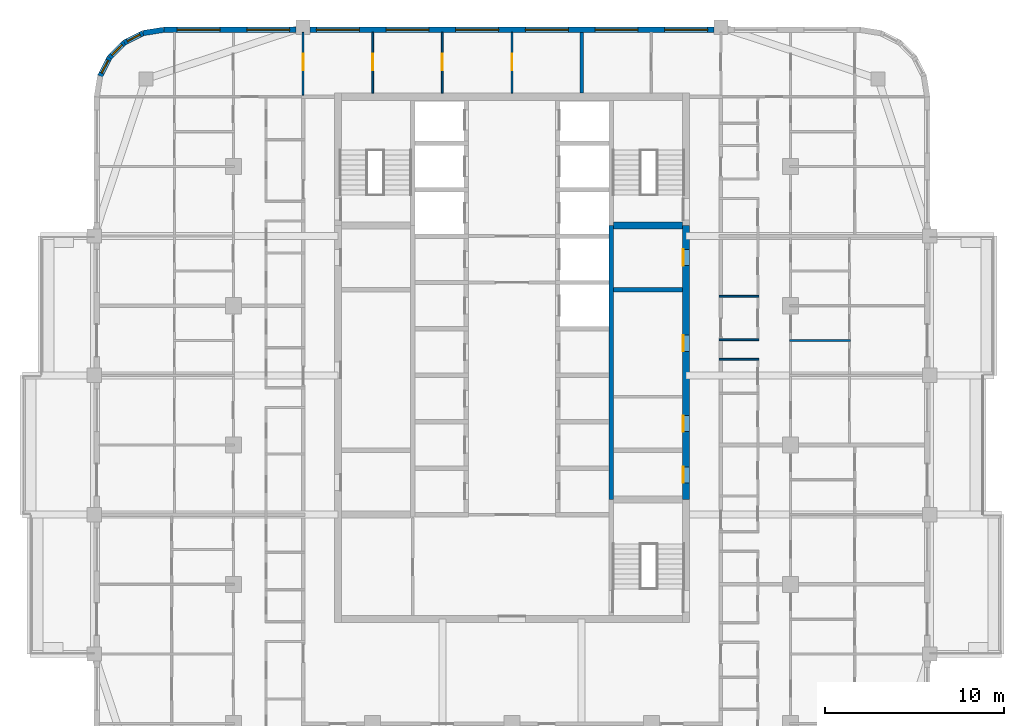
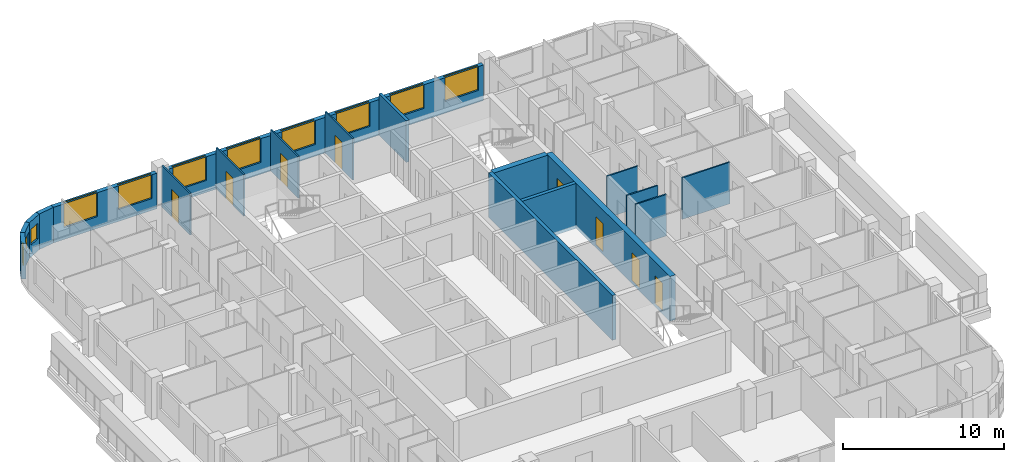
# One storey, part 10 of 16: 19 walls, 11 windows, 8 doors, 19 openings.
"""IFC4 building model written with IfcOpenShell, lengths in metres."""

from ifc_helpers import new_model, si_unit, direction, frame, frame_2d, origin, place, context, subcontext, project, spatial, rectangle, extrude, material, layer, layer_set, type_object, element, fill, save


model = new_model("IFC4")

# Units and contexts
model_context = context("Model", 3, precision=1e-05, world=origin(), true_north=direction((0.0, 1.0)))
body_context = subcontext(model_context, "Body", "Model", "MODEL_VIEW")
ifc_project = project(units=[si_unit("LENGTHUNIT", "METRE"), si_unit("AREAUNIT", "SQUARE_METRE"), si_unit("VOLUMEUNIT", "CUBIC_METRE"), si_unit("PLANEANGLEUNIT", "RADIAN"), si_unit("MASSUNIT", "GRAM", prefix="KILO")], contexts=[model_context])

# Site, building, storey
site_placement = place(None, origin())
site = spatial("IfcSite", under=ifc_project, at=site_placement, CompositionType="ELEMENT")
building_placement = place(site_placement, origin())
building = spatial("IfcBuilding", under=site, at=building_placement, Name="Ludao Terraces", CompositionType="ELEMENT")
storey_placement = place(building_placement, frame((0.0, 0.0, 217.699951171875)))
storey = spatial("IfcBuildingStorey", under=building, at=storey_placement, Name="L59", CompositionType="ELEMENT", Elevation=217.699951171875)

# Wall, openings, doors
ifc_material_1 = material(Name="Concrete C50", Category="concrete")
ifc_layer_1 = layer(ifc_material_1, 0.39990234375)
ifc_layer_set_1 = layer_set([ifc_layer_1], Name="Core wall 400 C50")
wall_type_1 = type_object("IfcWallType", Name="Core wall 400 C50", PredefinedType="SOLIDWALL", material=ifc_layer_set_1)
wall_1_placement = place(storey_placement, frame((94.75, 61.949951171875, -0.25), z_axis=(0.0, 0.0, 1.0), x_axis=(0.0, 1.0, 0.0)))
wall_1 = element("IfcWall", 1, at=wall_1_placement, inside=storey, type_object=wall_type_1, Name="Core wall L59 outer-E", PredefinedType="SOLIDWALL", context=body_context, shape_type="SweptSolid", body=[
    extrude(rectangle(XDim=15.35009765625, YDim=0.39990234375, at=frame_2d((7.675048828125, 0.0))), origin(), (0.0, 0.0, 1.0), 3.400146484375),
])
opening_1_placement = place(wall_1_placement, frame((0.925048828125, 0.0, 0.25)))
opening_1 = element("IfcOpeningElement", 2, at=opening_1_placement, cuts=wall_1, Name="Opening R21-059", PredefinedType="OPENING", context=body_context, shape_type="SweptSolid", body=[
    extrude(rectangle(XDim=0.89990234375, YDim=2.10009765625, at=frame_2d((0.449951171875, 1.050048828125))), frame((0.0, 0.2099609375, 0.0), z_axis=(0.0, -1.0, 0.0), x_axis=(1.0, 0.0, 0.0)), (0.0, 0.0, 1.0), 0.419921875),
])
opening_2_placement = place(wall_1_placement, frame((3.800048828125, 0.0, 0.25)))
opening_2 = element("IfcOpeningElement", 3, at=opening_2_placement, cuts=wall_1, Name="Opening R21-066", PredefinedType="OPENING", context=body_context, shape_type="SweptSolid", body=[
    extrude(rectangle(XDim=0.89990234375, YDim=2.10009765625, at=frame_2d((0.449951171875, 1.050048828125))), frame((0.0, 0.2099609375, 0.0), z_axis=(0.0, -1.0, 0.0), x_axis=(1.0, 0.0, 0.0)), (0.0, 0.0, 1.0), 0.419921875),
])
opening_3_placement = place(wall_1_placement, frame((8.300048828125, 0.0, 0.25)))
opening_3 = element("IfcOpeningElement", 4, at=opening_3_placement, cuts=wall_1, Name="Opening R21-082", PredefinedType="OPENING", context=body_context, shape_type="SweptSolid", body=[
    extrude(rectangle(XDim=0.89990234375, YDim=2.10009765625, at=frame_2d((0.449951171875, 1.050048828125))), frame((0.0, 0.2099609375, 0.0), z_axis=(0.0, -1.0, 0.0), x_axis=(1.0, 0.0, 0.0)), (0.0, 0.0, 1.0), 0.419921875),
])
opening_4_placement = place(wall_1_placement, frame((13.10009765625, 0.0, 0.25)))
opening_4 = element("IfcOpeningElement", 5, at=opening_4_placement, cuts=wall_1, Name="Opening R21-100", PredefinedType="OPENING", context=body_context, shape_type="SweptSolid", body=[
    extrude(rectangle(XDim=0.89990234375, YDim=2.10009765625, at=frame_2d((0.449951171875, 1.050048828125))), frame((0.0, 0.2099609375, 0.0), z_axis=(0.0, -1.0, 0.0), x_axis=(1.0, 0.0, 0.0)), (0.0, 0.0, 1.0), 0.419921875),
])
ifc_material_2 = material(Name="Steel Q235", Category="steel")
door_type_1 = type_object("IfcDoorType", Name="INT Riser door 900", OperationType="SINGLE_SWING_LEFT", PredefinedType="DOOR", material=ifc_material_2)
door_1_placement = place(opening_1_placement, origin())
door_1 = element("IfcDoor", 6, at=door_1_placement, inside=storey, type_object=door_type_1, Name="DOOR 059", OperationType="SINGLE_SWING_LEFT", OverallHeight=2.10009765625, OverallWidth=0.89990234375, PredefinedType="DOOR", context=body_context, shape_type="SweptSolid", body=[
    extrude(rectangle(XDim=0.89990234375, YDim=2.10009765625, at=frame_2d((0.449951171875, 1.050048828125))), frame((0.0, 0.18505859375, 0.0), z_axis=(0.0, -1.0, 0.0), x_axis=(1.0, 0.0, 0.0)), (0.0, 0.0, 1.0), 0.050048828125),
])
fill(opening_1, door_1)
door_2_placement = place(opening_4_placement, origin())
door_2 = element("IfcDoor", 7, at=door_2_placement, inside=storey, type_object=door_type_1, Name="DOOR 100", OperationType="SINGLE_SWING_RIGHT", OverallHeight=2.10009765625, OverallWidth=0.89990234375, PredefinedType="DOOR", context=body_context, shape_type="SweptSolid", body=[
    extrude(rectangle(XDim=0.89990234375, YDim=2.10009765625, at=frame_2d((0.449951171875, 1.050048828125))), frame((0.0, 0.18505859375, 0.0), z_axis=(0.0, -1.0, 0.0), x_axis=(1.0, 0.0, 0.0)), (0.0, 0.0, 1.0), 0.050048828125),
])
fill(opening_4, door_2)
ifc_material_3 = material(Name="Timber door leaf", Category="wood")
door_type_2 = type_object("IfcDoorType", Name="INT Room door 900", OperationType="SINGLE_SWING_LEFT", PredefinedType="DOOR", material=ifc_material_3)
door_3_placement = place(opening_2_placement, origin())
door_3 = element("IfcDoor", 8, at=door_3_placement, inside=storey, type_object=door_type_2, Name="DOOR 066", OperationType="SINGLE_SWING_LEFT", OverallHeight=2.10009765625, OverallWidth=0.89990234375, PredefinedType="DOOR", context=body_context, shape_type="SweptSolid", body=[
    extrude(rectangle(XDim=0.89990234375, YDim=2.10009765625, at=frame_2d((0.449951171875, 1.050048828125))), frame((0.0, 0.18505859375, 0.0), z_axis=(0.0, -1.0, 0.0), x_axis=(1.0, 0.0, 0.0)), (0.0, 0.0, 1.0), 0.050048828125),
])
fill(opening_2, door_3)
door_4_placement = place(opening_3_placement, origin())
door_4 = element("IfcDoor", 9, at=door_4_placement, inside=storey, type_object=door_type_2, Name="DOOR 082", OperationType="SINGLE_SWING_RIGHT", OverallHeight=2.10009765625, OverallWidth=0.89990234375, PredefinedType="DOOR", context=body_context, shape_type="SweptSolid", body=[
    extrude(rectangle(XDim=0.89990234375, YDim=2.10009765625, at=frame_2d((0.449951171875, 1.050048828125))), frame((0.0, 0.18505859375, 0.0), z_axis=(0.0, -1.0, 0.0), x_axis=(1.0, 0.0, 0.0)), (0.0, 0.0, 1.0), 0.050048828125),
])
fill(opening_3, door_4)

# Wall, openings, windows
ifc_material_4 = material(Name="Granite cladding", Category="masonry")
ifc_layer_2 = layer(ifc_material_4, 0.0400390625, Category="stone")
ifc_material_5 = material(Name="Mineral wool")
ifc_layer_3 = layer(ifc_material_5, 0.06005859375)
ifc_material_6 = material(Name="Concrete C40", Category="concrete")
ifc_layer_4 = layer(ifc_material_6, 0.199951171875, Category="concrete")
ifc_layer_set_2 = layer_set([ifc_layer_2, ifc_layer_3, ifc_layer_4], Name="ENV Stone-clad wall 300")
wall_type_2 = type_object("IfcWallType", Name="ENV Stone-clad wall 300", PredefinedType="SOLIDWALL", material=ifc_layer_set_2)
wall_2_placement = place(storey_placement, frame((65.5, 88.25, 0.0), z_axis=(0.0, 0.0, 1.0), x_axis=(1.0, 0.0, 0.0)))
wall_2 = element("IfcWall", 10, at=wall_2_placement, inside=storey, type_object=wall_type_2, Name="EW-L59-N1", PredefinedType="SOLIDWALL", context=body_context, shape_type="SweptSolid", body=[
    extrude(rectangle(XDim=7.39990234375, YDim=0.300048828125, at=frame_2d((3.699951171875, 0.0))), origin(), (0.0, 0.0, 1.0), 2.699951171875),
])
opening_5_placement = place(wall_2_placement, frame((0.75, 0.0, 0.89990234375)))
opening_5 = element("IfcOpeningElement", 11, at=opening_5_placement, cuts=wall_2, Name="Opening W1", PredefinedType="OPENING", context=body_context, shape_type="SweptSolid", body=[
    extrude(rectangle(XDim=2.39990234375, YDim=1.800048828125, at=frame_2d((1.199951171875, 0.89990234375))), frame((0.0, 0.16015625, 0.0), z_axis=(0.0, -1.0, 0.0), x_axis=(1.0, 0.0, 0.0)), (0.0, 0.0, 1.0), 0.320068359375),
])
opening_6_placement = place(wall_2_placement, frame((4.64990234375, 0.0, 0.89990234375)))
opening_6 = element("IfcOpeningElement", 12, at=opening_6_placement, cuts=wall_2, Name="Opening W1", PredefinedType="OPENING", context=body_context, shape_type="SweptSolid", body=[
    extrude(rectangle(XDim=2.39990234375, YDim=1.800048828125, at=frame_2d((1.199951171875, 0.89990234375))), frame((0.0, 0.16015625, 0.0), z_axis=(0.0, -1.0, 0.0), x_axis=(1.0, 0.0, 0.0)), (0.0, 0.0, 1.0), 0.320068359375),
])
ifc_material_7 = material(Name="Clear glass in aluminium frame", Category="aluminium")
ifc_layer_5 = layer(ifc_material_7, 0.06005859375)
ifc_layer_set_3 = layer_set([ifc_layer_5], Name="ENV Window W1 2400x1800")
window_type_1 = type_object("IfcWindowType", Name="ENV Window W1 2400x1800", PartitioningType="DOUBLE_PANEL_VERTICAL", PredefinedType="WINDOW", material=ifc_layer_set_3)
window_1_placement = place(opening_5_placement, origin())
window_1 = element("IfcWindow", 13, at=window_1_placement, inside=storey, type_object=window_type_1, Name="W-L59-N1-1", OverallHeight=1.800048828125, OverallWidth=2.39990234375, PartitioningType="DOUBLE_PANEL_VERTICAL", PredefinedType="WINDOW", context=body_context, shape_type="SweptSolid", body=[
    extrude(rectangle(XDim=2.39990234375, YDim=1.800048828125, at=frame_2d((1.199951171875, 0.89990234375))), frame((0.0, 0.030029296875, 0.0), z_axis=(0.0, -1.0, 0.0), x_axis=(1.0, 0.0, 0.0)), (0.0, 0.0, 1.0), 0.06005859375),
])
fill(opening_5, window_1)
window_2_placement = place(opening_6_placement, origin())
window_2 = element("IfcWindow", 14, at=window_2_placement, inside=storey, type_object=window_type_1, Name="W-L59-N1-2", OverallHeight=1.800048828125, OverallWidth=2.39990234375, PartitioningType="DOUBLE_PANEL_VERTICAL", PredefinedType="WINDOW", context=body_context, shape_type="SweptSolid", body=[
    extrude(rectangle(XDim=2.39990234375, YDim=1.800048828125, at=frame_2d((1.199951171875, 0.89990234375))), frame((0.0, 0.030029296875, 0.0), z_axis=(0.0, -1.0, 0.0), x_axis=(1.0, 0.0, 0.0)), (0.0, 0.0, 1.0), 0.06005859375),
])
fill(opening_6, window_2)

wall_3_placement = place(storey_placement, frame((73.699951171875, 88.25, 0.0), z_axis=(0.0, 0.0, 1.0), x_axis=(1.0, 0.0, 0.0)))
wall_3 = element("IfcWall", 15, at=wall_3_placement, inside=storey, type_object=wall_type_2, Name="EW-L59-N2", PredefinedType="SOLIDWALL", context=body_context, shape_type="SweptSolid", body=[
    extrude(rectangle(XDim=22.60009765625, YDim=0.300048828125, at=frame_2d((11.300048828125, 0.0))), origin(), (0.0, 0.0, 1.0), 2.699951171875),
])
opening_7_placement = place(wall_3_placement, frame((0.35009765625, 0.0, 0.89990234375)))
opening_7 = element("IfcOpeningElement", 16, at=opening_7_placement, cuts=wall_3, Name="Opening W1", PredefinedType="OPENING", context=body_context, shape_type="SweptSolid", body=[
    extrude(rectangle(XDim=2.39990234375, YDim=1.800048828125, at=frame_2d((1.199951171875, 0.89990234375))), frame((0.0, 0.16015625, 0.0), z_axis=(0.0, -1.0, 0.0), x_axis=(1.0, 0.0, 0.0)), (0.0, 0.0, 1.0), 0.320068359375),
])
opening_8_placement = place(wall_3_placement, frame((4.25, 0.0, 0.89990234375)))
opening_8 = element("IfcOpeningElement", 17, at=opening_8_placement, cuts=wall_3, Name="Opening W1", PredefinedType="OPENING", context=body_context, shape_type="SweptSolid", body=[
    extrude(rectangle(XDim=2.39990234375, YDim=1.800048828125, at=frame_2d((1.199951171875, 0.89990234375))), frame((0.0, 0.16015625, 0.0), z_axis=(0.0, -1.0, 0.0), x_axis=(1.0, 0.0, 0.0)), (0.0, 0.0, 1.0), 0.320068359375),
])
opening_9_placement = place(wall_3_placement, frame((8.14990234375, 0.0, 0.89990234375)))
opening_9 = element("IfcOpeningElement", 18, at=opening_9_placement, cuts=wall_3, Name="Opening W1", PredefinedType="OPENING", context=body_context, shape_type="SweptSolid", body=[
    extrude(rectangle(XDim=2.39990234375, YDim=1.800048828125, at=frame_2d((1.199951171875, 0.89990234375))), frame((0.0, 0.16015625, 0.0), z_axis=(0.0, -1.0, 0.0), x_axis=(1.0, 0.0, 0.0)), (0.0, 0.0, 1.0), 0.320068359375),
])
opening_10_placement = place(wall_3_placement, frame((12.050048828125, 0.0, 0.89990234375)))
opening_10 = element("IfcOpeningElement", 19, at=opening_10_placement, cuts=wall_3, Name="Opening W1", PredefinedType="OPENING", context=body_context, shape_type="SweptSolid", body=[
    extrude(rectangle(XDim=2.39990234375, YDim=1.800048828125, at=frame_2d((1.199951171875, 0.89990234375))), frame((0.0, 0.16015625, 0.0), z_axis=(0.0, -1.0, 0.0), x_axis=(1.0, 0.0, 0.0)), (0.0, 0.0, 1.0), 0.320068359375),
])
opening_11_placement = place(wall_3_placement, frame((15.949951171875, 0.0, 0.89990234375)))
opening_11 = element("IfcOpeningElement", 20, at=opening_11_placement, cuts=wall_3, Name="Opening W1", PredefinedType="OPENING", context=body_context, shape_type="SweptSolid", body=[
    extrude(rectangle(XDim=2.39990234375, YDim=1.800048828125, at=frame_2d((1.199951171875, 0.89990234375))), frame((0.0, 0.16015625, 0.0), z_axis=(0.0, -1.0, 0.0), x_axis=(1.0, 0.0, 0.0)), (0.0, 0.0, 1.0), 0.320068359375),
])
opening_12_placement = place(wall_3_placement, frame((19.85009765625, 0.0, 0.89990234375)))
opening_12 = element("IfcOpeningElement", 21, at=opening_12_placement, cuts=wall_3, Name="Opening W1", PredefinedType="OPENING", context=body_context, shape_type="SweptSolid", body=[
    extrude(rectangle(XDim=2.39990234375, YDim=1.800048828125, at=frame_2d((1.199951171875, 0.89990234375))), frame((0.0, 0.16015625, 0.0), z_axis=(0.0, -1.0, 0.0), x_axis=(1.0, 0.0, 0.0)), (0.0, 0.0, 1.0), 0.320068359375),
])
window_3_placement = place(opening_7_placement, origin())
window_3 = element("IfcWindow", 22, at=window_3_placement, inside=storey, type_object=window_type_1, Name="W-L59-N2-1", OverallHeight=1.800048828125, OverallWidth=2.39990234375, PartitioningType="DOUBLE_PANEL_VERTICAL", PredefinedType="WINDOW", context=body_context, shape_type="SweptSolid", body=[
    extrude(rectangle(XDim=2.39990234375, YDim=1.800048828125, at=frame_2d((1.199951171875, 0.89990234375))), frame((0.0, 0.030029296875, 0.0), z_axis=(0.0, -1.0, 0.0), x_axis=(1.0, 0.0, 0.0)), (0.0, 0.0, 1.0), 0.06005859375),
])
fill(opening_7, window_3)
window_4_placement = place(opening_8_placement, origin())
window_4 = element("IfcWindow", 23, at=window_4_placement, inside=storey, type_object=window_type_1, Name="W-L59-N2-2", OverallHeight=1.800048828125, OverallWidth=2.39990234375, PartitioningType="DOUBLE_PANEL_VERTICAL", PredefinedType="WINDOW", context=body_context, shape_type="SweptSolid", body=[
    extrude(rectangle(XDim=2.39990234375, YDim=1.800048828125, at=frame_2d((1.199951171875, 0.89990234375))), frame((0.0, 0.030029296875, 0.0), z_axis=(0.0, -1.0, 0.0), x_axis=(1.0, 0.0, 0.0)), (0.0, 0.0, 1.0), 0.06005859375),
])
fill(opening_8, window_4)
window_5_placement = place(opening_9_placement, origin())
window_5 = element("IfcWindow", 24, at=window_5_placement, inside=storey, type_object=window_type_1, Name="W-L59-N2-3", OverallHeight=1.800048828125, OverallWidth=2.39990234375, PartitioningType="DOUBLE_PANEL_VERTICAL", PredefinedType="WINDOW", context=body_context, shape_type="SweptSolid", body=[
    extrude(rectangle(XDim=2.39990234375, YDim=1.800048828125, at=frame_2d((1.199951171875, 0.89990234375))), frame((0.0, 0.030029296875, 0.0), z_axis=(0.0, -1.0, 0.0), x_axis=(1.0, 0.0, 0.0)), (0.0, 0.0, 1.0), 0.06005859375),
])
fill(opening_9, window_5)
window_6_placement = place(opening_10_placement, origin())
window_6 = element("IfcWindow", 25, at=window_6_placement, inside=storey, type_object=window_type_1, Name="W-L59-N2-4", OverallHeight=1.800048828125, OverallWidth=2.39990234375, PartitioningType="DOUBLE_PANEL_VERTICAL", PredefinedType="WINDOW", context=body_context, shape_type="SweptSolid", body=[
    extrude(rectangle(XDim=2.39990234375, YDim=1.800048828125, at=frame_2d((1.199951171875, 0.89990234375))), frame((0.0, 0.030029296875, 0.0), z_axis=(0.0, -1.0, 0.0), x_axis=(1.0, 0.0, 0.0)), (0.0, 0.0, 1.0), 0.06005859375),
])
fill(opening_10, window_6)
window_7_placement = place(opening_11_placement, origin())
window_7 = element("IfcWindow", 26, at=window_7_placement, inside=storey, type_object=window_type_1, Name="W-L59-N2-5", OverallHeight=1.800048828125, OverallWidth=2.39990234375, PartitioningType="DOUBLE_PANEL_VERTICAL", PredefinedType="WINDOW", context=body_context, shape_type="SweptSolid", body=[
    extrude(rectangle(XDim=2.39990234375, YDim=1.800048828125, at=frame_2d((1.199951171875, 0.89990234375))), frame((0.0, 0.030029296875, 0.0), z_axis=(0.0, -1.0, 0.0), x_axis=(1.0, 0.0, 0.0)), (0.0, 0.0, 1.0), 0.06005859375),
])
fill(opening_11, window_7)
window_8_placement = place(opening_12_placement, origin())
window_8 = element("IfcWindow", 27, at=window_8_placement, inside=storey, type_object=window_type_1, Name="W-L59-N2-6", OverallHeight=1.800048828125, OverallWidth=2.39990234375, PartitioningType="DOUBLE_PANEL_VERTICAL", PredefinedType="WINDOW", context=body_context, shape_type="SweptSolid", body=[
    extrude(rectangle(XDim=2.39990234375, YDim=1.800048828125, at=frame_2d((1.199951171875, 0.89990234375))), frame((0.0, 0.030029296875, 0.0), z_axis=(0.0, -1.0, 0.0), x_axis=(1.0, 0.0, 0.0)), (0.0, 0.0, 1.0), 0.06005859375),
])
fill(opening_12, window_8)

# Wall
wall_4_placement = place(storey_placement, frame((65.5, 88.25, 0.0), z_axis=(0.0, 0.0, 1.0), x_axis=(-0.987678452879, -0.156496880861, 0.0)))
element("IfcWall", 28, at=wall_4_placement, inside=storey, type_object=wall_type_2, Name="EW-L59-NW1", PredefinedType="SOLIDWALL", context=body_context, shape_type="SweptSolid", body=[
    extrude(rectangle(XDim=1.173095703125, YDim=0.300048828125, at=frame_2d((0.58642578125, 0.0))), origin(), (0.0, 0.0, 1.0), 2.699951171875),
])

# Wall, opening, window
wall_5_placement = place(storey_placement, frame((64.34130859375, 88.06640625, 0.0), z_axis=(0.0, 0.0, 1.0), x_axis=(-0.890988677504, -0.454025524128, 0.0)))
wall_5 = element("IfcWall", 29, at=wall_5_placement, inside=storey, type_object=wall_type_2, Name="EW-L59-NW2", PredefinedType="SOLIDWALL", context=body_context, shape_type="SweptSolid", body=[
    extrude(rectangle(XDim=1.17333984375, YDim=0.300048828125, at=frame_2d((0.586669921875, 0.0))), origin(), (0.0, 0.0, 1.0), 2.699951171875),
])
opening_13_placement = place(wall_5_placement, frame((0.1865234375, 0.0, 0.89990234375)))
opening_13 = element("IfcOpeningElement", 30, at=opening_13_placement, cuts=wall_5, Name="Opening W3", PredefinedType="OPENING", context=body_context, shape_type="SweptSolid", body=[
    extrude(rectangle(XDim=0.800048828125, YDim=1.199951171875, at=frame_2d((0.39990234375, 0.60009765625))), frame((0.0, 0.16015625, 0.0), z_axis=(0.0, -1.0, 0.0), x_axis=(1.0, 0.0, 0.0)), (0.0, 0.0, 1.0), 0.320068359375),
])
ifc_layer_6 = layer(ifc_material_7, 0.06005859375)
ifc_layer_set_4 = layer_set([ifc_layer_6], Name="ENV Window W3 800x1200")
window_type_2 = type_object("IfcWindowType", Name="ENV Window W3 800x1200", PartitioningType="SINGLE_PANEL", PredefinedType="WINDOW", material=ifc_layer_set_4)
window_9_placement = place(opening_13_placement, origin())
window_9 = element("IfcWindow", 31, at=window_9_placement, inside=storey, type_object=window_type_2, Name="W-L59-NW2", OverallHeight=1.199951171875, OverallWidth=0.800048828125, PartitioningType="SINGLE_PANEL", PredefinedType="WINDOW", context=body_context, shape_type="SweptSolid", body=[
    extrude(rectangle(XDim=0.800048828125, YDim=1.199951171875, at=frame_2d((0.39990234375, 0.60009765625))), frame((0.0, 0.030029296875, 0.0), z_axis=(0.0, -1.0, 0.0), x_axis=(1.0, 0.0, 0.0)), (0.0, 0.0, 1.0), 0.06005859375),
])
fill(opening_13, window_9)

wall_6_placement = place(storey_placement, frame((63.2958984375, 87.53369140625, 0.0), z_axis=(0.0, 0.0, 1.0), x_axis=(-0.707106781187, -0.707106781187, 0.0)))
wall_6 = element("IfcWall", 32, at=wall_6_placement, inside=storey, type_object=wall_type_2, Name="EW-L59-NW3", PredefinedType="SOLIDWALL", context=body_context, shape_type="SweptSolid", body=[
    extrude(rectangle(XDim=1.173095703125, YDim=0.300048828125, at=frame_2d((0.58642578125, 0.0))), origin(), (0.0, 0.0, 1.0), 2.699951171875),
])
opening_14_placement = place(wall_6_placement, frame((0.1865234375, 0.0, 0.89990234375)))
opening_14 = element("IfcOpeningElement", 33, at=opening_14_placement, cuts=wall_6, Name="Opening W3", PredefinedType="OPENING", context=body_context, shape_type="SweptSolid", body=[
    extrude(rectangle(XDim=0.800048828125, YDim=1.199951171875, at=frame_2d((0.39990234375, 0.60009765625))), frame((0.0, 0.16015625, 0.0), z_axis=(0.0, -1.0, 0.0), x_axis=(1.0, 0.0, 0.0)), (0.0, 0.0, 1.0), 0.320068359375),
])
window_10_placement = place(opening_14_placement, origin())
window_10 = element("IfcWindow", 34, at=window_10_placement, inside=storey, type_object=window_type_2, Name="W-L59-NW3", OverallHeight=1.199951171875, OverallWidth=0.800048828125, PartitioningType="SINGLE_PANEL", PredefinedType="WINDOW", context=body_context, shape_type="SweptSolid", body=[
    extrude(rectangle(XDim=0.800048828125, YDim=1.199951171875, at=frame_2d((0.39990234375, 0.60009765625))), frame((0.0, 0.030029296875, 0.0), z_axis=(0.0, -1.0, 0.0), x_axis=(1.0, 0.0, 0.0)), (0.0, 0.0, 1.0), 0.06005859375),
])
fill(opening_14, window_10)

wall_7_placement = place(storey_placement, frame((62.46630859375, 86.7041015625, 0.0), z_axis=(0.0, 0.0, 1.0), x_axis=(-0.454025524128, -0.890988677504, 0.0)))
wall_7 = element("IfcWall", 35, at=wall_7_placement, inside=storey, type_object=wall_type_2, Name="EW-L59-NW4", PredefinedType="SOLIDWALL", context=body_context, shape_type="SweptSolid", body=[
    extrude(rectangle(XDim=1.17333984375, YDim=0.300048828125, at=frame_2d((0.586669921875, 0.0))), origin(), (0.0, 0.0, 1.0), 2.699951171875),
])
opening_15_placement = place(wall_7_placement, frame((0.1865234375, 0.0, 0.89990234375)))
opening_15 = element("IfcOpeningElement", 36, at=opening_15_placement, cuts=wall_7, Name="Opening W3", PredefinedType="OPENING", context=body_context, shape_type="SweptSolid", body=[
    extrude(rectangle(XDim=0.800048828125, YDim=1.199951171875, at=frame_2d((0.39990234375, 0.60009765625))), frame((0.0, 0.16015625, 0.0), z_axis=(0.0, -1.0, 0.0), x_axis=(1.0, 0.0, 0.0)), (0.0, 0.0, 1.0), 0.320068359375),
])
window_11_placement = place(opening_15_placement, origin())
window_11 = element("IfcWindow", 37, at=window_11_placement, inside=storey, type_object=window_type_2, Name="W-L59-NW4", OverallHeight=1.199951171875, OverallWidth=0.800048828125, PartitioningType="SINGLE_PANEL", PredefinedType="WINDOW", context=body_context, shape_type="SweptSolid", body=[
    extrude(rectangle(XDim=0.800048828125, YDim=1.199951171875, at=frame_2d((0.39990234375, 0.60009765625))), frame((0.0, 0.030029296875, 0.0), z_axis=(0.0, -1.0, 0.0), x_axis=(1.0, 0.0, 0.0)), (0.0, 0.0, 1.0), 0.06005859375),
])
fill(opening_15, window_11)

# Walls
ifc_material_8 = material(Name="Gypsum plasterboard", Category="gypsum")
ifc_layer_7 = layer(ifc_material_8, 0.012451171875, Category="gypsum")
ifc_layer_8 = layer(ifc_material_5, 0.06005859375, Name="insulation")
ifc_layer_9 = layer(ifc_material_2, 0.014892578125, Name="stud")
ifc_layer_10 = layer(ifc_material_8, 0.012451171875, Category="gypsum")
ifc_layer_set_5 = layer_set([ifc_layer_7, ifc_layer_8, ifc_layer_9, ifc_layer_10], Name="INT Partition 100")
wall_type_3 = type_object("IfcWallType", Name="INT Partition 100", PredefinedType="PARTITIONING", material=ifc_layer_set_5)
wall_8_placement = place(storey_placement, frame((96.60009765625, 69.800048828125, 0.0), z_axis=(0.0, 0.0, 1.0), x_axis=(1.0, 0.0, 0.0)))
element("IfcWall", 38, at=wall_8_placement, inside=storey, type_object=wall_type_3, Name="PW-L59-PW040", PredefinedType="PARTITIONING", context=body_context, shape_type="SweptSolid", body=[
    extrude(rectangle(XDim=2.219970703125, YDim=0.10009765625, at=frame_2d((1.10986328125, 0.0))), origin(), (0.0, 0.0, 1.0), 3.150146484375),
])
wall_9_placement = place(storey_placement, frame((100.550048828125, 70.85009765625, 0.0), z_axis=(0.0, 0.0, 1.0), x_axis=(1.0, 0.0, 0.0)))
element("IfcWall", 39, at=wall_9_placement, inside=storey, type_object=wall_type_3, Name="PW-L59-PW043", PredefinedType="PARTITIONING", context=body_context, shape_type="SweptSolid", body=[
    extrude(rectangle(XDim=3.400146484375, YDim=0.10009765625, at=frame_2d((1.7001953125, 0.0))), origin(), (0.0, 0.0, 1.0), 3.150146484375),
])
for number, where, z_axis, x_axis, name in (
    (40, (96.60009765625, 70.89990234375, 0.0), (0.0, 0.0, 1.0), (1.0, 0.0, 0.0), "PW-L59-PW044"),
    (41, (96.60009765625, 73.330078125, 0.0), (0.0, 0.0, 1.0), (1.0, 0.0, 0.0), "PW-L59-PW047"),
):
    element("IfcWall", number, at=place(storey_placement, frame(where, z_axis=z_axis, x_axis=x_axis)), inside=storey, type_object=wall_type_3, Name=name, PredefinedType="PARTITIONING", context=body_context, shape_type="SweptSolid", body=[
        extrude(rectangle(XDim=2.219970703125, YDim=0.10009765625, at=frame_2d((1.10986328125, 0.0))), origin(), (0.0, 0.0, 1.0), 3.150146484375),
    ])

# Wall, opening, door
wall_10_placement = place(storey_placement, frame((73.300048828125, 84.60009765625, 0.0), z_axis=(0.0, 0.0, 1.0), x_axis=(0.0, 1.0, 0.0)))
wall_10 = element("IfcWall", 42, at=wall_10_placement, inside=storey, type_object=wall_type_3, Name="PW-L59-PW079", PredefinedType="PARTITIONING", context=body_context, shape_type="SweptSolid", body=[
    extrude(rectangle(XDim=3.5, YDim=0.10009765625, at=frame_2d((1.75, 0.0))), origin(), (0.0, 0.0, 1.0), 3.150146484375),
])
opening_16_placement = place(wall_10_placement, frame((1.39990234375, 0.0, 0.0)))
opening_16 = element("IfcOpeningElement", 43, at=opening_16_placement, cuts=wall_10, Name="Opening R21-137", PredefinedType="OPENING", context=body_context, shape_type="SweptSolid", body=[
    extrude(rectangle(XDim=0.89990234375, YDim=2.10009765625, at=frame_2d((0.449951171875, 1.050048828125))), frame((0.0, 0.06005859375, 0.0), z_axis=(0.0, -1.0, 0.0), x_axis=(1.0, 0.0, 0.0)), (0.0, 0.0, 1.0), 0.1201171875),
])
door_5_placement = place(opening_16_placement, origin())
door_5 = element("IfcDoor", 44, at=door_5_placement, inside=storey, type_object=door_type_2, Name="DOOR 137", OperationType="SINGLE_SWING_LEFT", OverallHeight=2.10009765625, OverallWidth=0.89990234375, PredefinedType="DOOR", context=body_context, shape_type="SweptSolid", body=[
    extrude(rectangle(XDim=0.89990234375, YDim=2.10009765625, at=frame_2d((0.449951171875, 1.050048828125))), frame((0.0, 0.02490234375, 0.0), z_axis=(0.0, -1.0, 0.0), x_axis=(1.0, 0.0, 0.0)), (0.0, 0.0, 1.0), 0.050048828125),
])
fill(opening_16, door_5)

wall_11_placement = place(storey_placement, frame((77.199951171875, 84.7001953125, 0.0), z_axis=(0.0, 0.0, 1.0), x_axis=(0.0, 1.0, 0.0)))
wall_11 = element("IfcWall", 45, at=wall_11_placement, inside=storey, type_object=wall_type_3, Name="PW-L59-PW081", PredefinedType="PARTITIONING", context=body_context, shape_type="SweptSolid", body=[
    extrude(rectangle(XDim=3.39990234375, YDim=0.10009765625, at=frame_2d((1.699951171875, 0.0))), origin(), (0.0, 0.0, 1.0), 3.150146484375),
])
opening_17_placement = place(wall_11_placement, frame((1.2998046875, 0.0, 0.0)))
opening_17 = element("IfcOpeningElement", 46, at=opening_17_placement, cuts=wall_11, Name="Opening R21-138", PredefinedType="OPENING", context=body_context, shape_type="SweptSolid", body=[
    extrude(rectangle(XDim=0.89990234375, YDim=2.10009765625, at=frame_2d((0.449951171875, 1.050048828125))), frame((0.0, 0.06005859375, 0.0), z_axis=(0.0, -1.0, 0.0), x_axis=(1.0, 0.0, 0.0)), (0.0, 0.0, 1.0), 0.1201171875),
])
door_6_placement = place(opening_17_placement, origin())
door_6 = element("IfcDoor", 47, at=door_6_placement, inside=storey, type_object=door_type_2, Name="DOOR 138", OperationType="SINGLE_SWING_LEFT", OverallHeight=2.10009765625, OverallWidth=0.89990234375, PredefinedType="DOOR", context=body_context, shape_type="SweptSolid", body=[
    extrude(rectangle(XDim=0.89990234375, YDim=2.10009765625, at=frame_2d((0.449951171875, 1.050048828125))), frame((0.0, 0.02490234375, 0.0), z_axis=(0.0, -1.0, 0.0), x_axis=(1.0, 0.0, 0.0)), (0.0, 0.0, 1.0), 0.050048828125),
])
fill(opening_17, door_6)

wall_12_placement = place(storey_placement, frame((81.10009765625, 84.7001953125, 0.0), z_axis=(0.0, 0.0, 1.0), x_axis=(0.0, 1.0, 0.0)))
wall_12 = element("IfcWall", 48, at=wall_12_placement, inside=storey, type_object=wall_type_3, Name="PW-L59-PW083", PredefinedType="PARTITIONING", context=body_context, shape_type="SweptSolid", body=[
    extrude(rectangle(XDim=3.39990234375, YDim=0.10009765625, at=frame_2d((1.699951171875, 0.0))), origin(), (0.0, 0.0, 1.0), 3.150146484375),
])
opening_18_placement = place(wall_12_placement, frame((1.2998046875, 0.0, 0.0)))
opening_18 = element("IfcOpeningElement", 49, at=opening_18_placement, cuts=wall_12, Name="Opening R21-139", PredefinedType="OPENING", context=body_context, shape_type="SweptSolid", body=[
    extrude(rectangle(XDim=0.89990234375, YDim=2.10009765625, at=frame_2d((0.449951171875, 1.050048828125))), frame((0.0, 0.06005859375, 0.0), z_axis=(0.0, -1.0, 0.0), x_axis=(1.0, 0.0, 0.0)), (0.0, 0.0, 1.0), 0.1201171875),
])
door_7_placement = place(opening_18_placement, origin())
door_7 = element("IfcDoor", 50, at=door_7_placement, inside=storey, type_object=door_type_2, Name="DOOR 139", OperationType="SINGLE_SWING_LEFT", OverallHeight=2.10009765625, OverallWidth=0.89990234375, PredefinedType="DOOR", context=body_context, shape_type="SweptSolid", body=[
    extrude(rectangle(XDim=0.89990234375, YDim=2.10009765625, at=frame_2d((0.449951171875, 1.050048828125))), frame((0.0, 0.02490234375, 0.0), z_axis=(0.0, -1.0, 0.0), x_axis=(1.0, 0.0, 0.0)), (0.0, 0.0, 1.0), 0.050048828125),
])
fill(opening_18, door_7)

wall_13_placement = place(storey_placement, frame((85.0, 84.7001953125, 0.0), z_axis=(0.0, 0.0, 1.0), x_axis=(0.0, 1.0, 0.0)))
wall_13 = element("IfcWall", 51, at=wall_13_placement, inside=storey, type_object=wall_type_3, Name="PW-L59-PW085", PredefinedType="PARTITIONING", context=body_context, shape_type="SweptSolid", body=[
    extrude(rectangle(XDim=3.39990234375, YDim=0.10009765625, at=frame_2d((1.699951171875, 0.0))), origin(), (0.0, 0.0, 1.0), 3.150146484375),
])
opening_19_placement = place(wall_13_placement, frame((1.2998046875, 0.0, 0.0)))
opening_19 = element("IfcOpeningElement", 52, at=opening_19_placement, cuts=wall_13, Name="Opening R21-140", PredefinedType="OPENING", context=body_context, shape_type="SweptSolid", body=[
    extrude(rectangle(XDim=0.89990234375, YDim=2.10009765625, at=frame_2d((0.449951171875, 1.050048828125))), frame((0.0, 0.06005859375, 0.0), z_axis=(0.0, -1.0, 0.0), x_axis=(1.0, 0.0, 0.0)), (0.0, 0.0, 1.0), 0.1201171875),
])
door_8_placement = place(opening_19_placement, origin())
door_8 = element("IfcDoor", 53, at=door_8_placement, inside=storey, type_object=door_type_2, Name="DOOR 140", OperationType="SINGLE_SWING_LEFT", OverallHeight=2.10009765625, OverallWidth=0.89990234375, PredefinedType="DOOR", context=body_context, shape_type="SweptSolid", body=[
    extrude(rectangle(XDim=0.89990234375, YDim=2.10009765625, at=frame_2d((0.449951171875, 1.050048828125))), frame((0.0, 0.02490234375, 0.0), z_axis=(0.0, -1.0, 0.0), x_axis=(1.0, 0.0, 0.0)), (0.0, 0.0, 1.0), 0.050048828125),
])
fill(opening_19, door_8)

# Walls
ifc_material_9 = material(Name="Autoclaved aerated concrete block B06 A3.5", Category="concrete")
ifc_layer_11 = layer(ifc_material_9, 0.199951171875)
ifc_layer_set_6 = layer_set([ifc_layer_11], Name="INT Party wall 200")
wall_type_4 = type_object("IfcWallType", Name="INT Party wall 200", PredefinedType="PARTITIONING", material=ifc_layer_set_6)
wall_14_placement = place(storey_placement, frame((88.89990234375, 84.7001953125, 0.0), z_axis=(0.0, 0.0, 1.0), x_axis=(0.0, 1.0, 0.0)))
element("IfcWall", 54, at=wall_14_placement, inside=storey, type_object=wall_type_4, Name="PW-L59-PW087", PredefinedType="PARTITIONING", context=body_context, shape_type="SweptSolid", body=[
    extrude(rectangle(XDim=3.39990234375, YDim=0.199951171875, at=frame_2d((1.699951171875, 0.0))), origin(), (0.0, 0.0, 1.0), 3.150146484375),
])
ifc_layer_12 = layer(ifc_material_1, 0.25)
ifc_layer_set_7 = layer_set([ifc_layer_12], Name="Shaft wall 250 C50")
wall_type_5 = type_object("IfcWallType", Name="Shaft wall 250 C50", PredefinedType="SOLIDWALL", material=ifc_layer_set_7)
wall_15_placement = place(storey_placement, frame((90.550048828125, 61.949951171875, -0.25), z_axis=(0.0, 0.0, 1.0), x_axis=(0.0, 1.0, 0.0)))
element("IfcWall", 55, at=wall_15_placement, inside=storey, type_object=wall_type_5, Name="Core wall L59 back-E", PredefinedType="SOLIDWALL", context=body_context, shape_type="SweptSolid", body=[
    extrude(rectangle(XDim=15.35009765625, YDim=0.25, at=frame_2d((7.675048828125, 0.0))), origin(), (0.0, 0.0, 1.0), 3.400146484375),
])
wall_16_placement = place(storey_placement, frame((90.675048828125, 73.699951171875, -0.25), z_axis=(0.0, 0.0, 1.0), x_axis=(1.0, 0.0, 0.0)))
element("IfcWall", 56, at=wall_16_placement, inside=storey, type_object=wall_type_5, Name="Core wall L59 riser-b-E", PredefinedType="SOLIDWALL", context=body_context, shape_type="SweptSolid", body=[
    extrude(rectangle(XDim=3.875, YDim=0.25, at=frame_2d((1.9375, 0.0))), origin(), (0.0, 0.0, 1.0), 3.400146484375),
])
ifc_layer_13 = layer(ifc_material_1, 0.39990234375)
ifc_layer_set_8 = layer_set([ifc_layer_13], Name="Shaft wall 400 C50")
wall_type_6 = type_object("IfcWallType", Name="Shaft wall 400 C50", PredefinedType="SOLIDWALL", material=ifc_layer_set_8)
wall_17_placement = place(storey_placement, frame((90.675048828125, 77.300048828125, -0.25), z_axis=(0.0, 0.0, 1.0), x_axis=(1.0, 0.0, 0.0)))
element("IfcWall", 57, at=wall_17_placement, inside=storey, type_object=wall_type_6, Name="Core wall L59 stair-E", PredefinedType="SOLIDWALL", context=body_context, shape_type="SweptSolid", body=[
    extrude(rectangle(XDim=3.875, YDim=0.39990234375, at=frame_2d((1.9375, 0.0))), origin(), (0.0, 0.0, 1.0), 3.400146484375),
])

save(model, "model.ifc")
